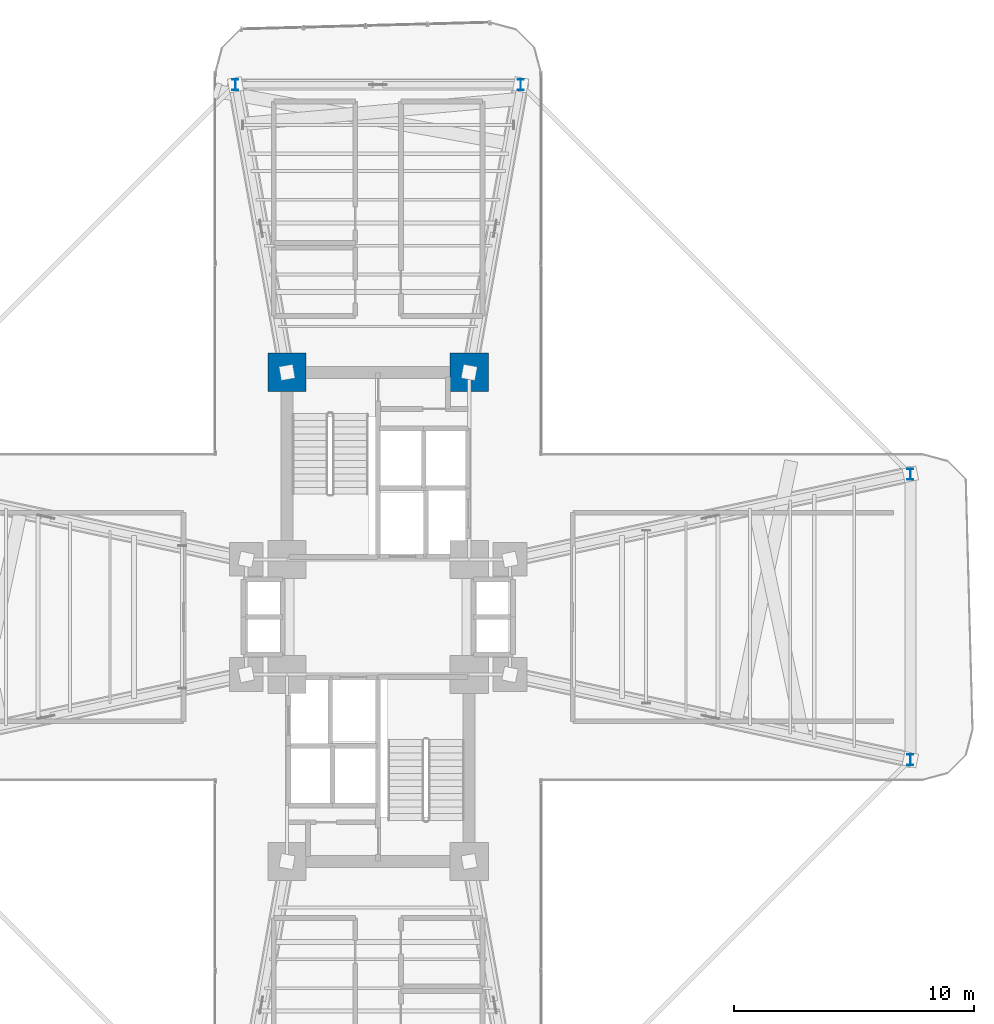
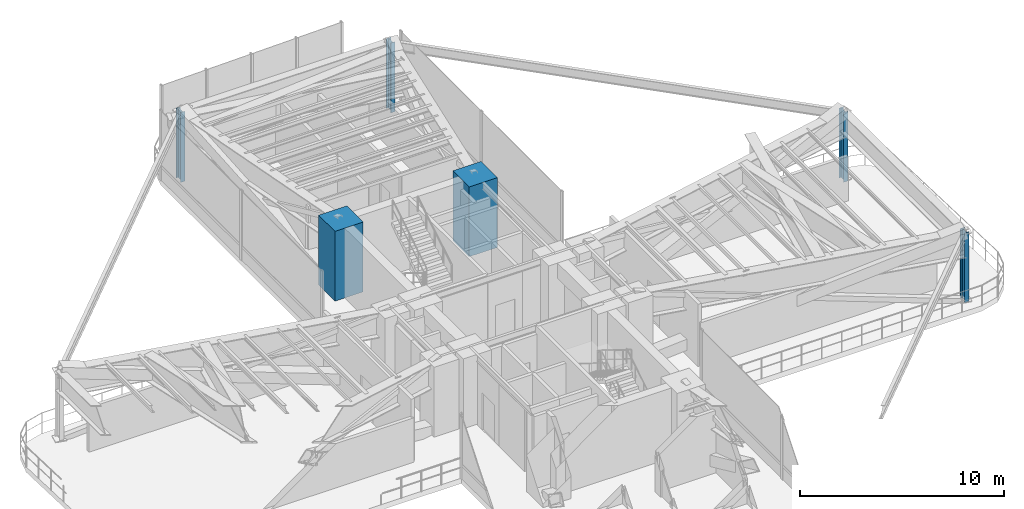
# One storey, part 2 of 18: 6 columns.
"""IFC4 building model written with IfcOpenShell, lengths in metres."""

from ifc_helpers import new_model, si_unit, direction, frame, origin, origin_2d, place, context, subcontext, project, spatial, rectangle, i_section, extrude, source, transform, mapped, material, material_profile, profile_set, type_object, element, save


model = new_model("IFC4")

# Units and contexts
model_context = context("Model", 3, precision=1e-05, world=origin(), true_north=direction((0.0, 1.0)))
body_context = subcontext(model_context, "Body", "Model", "MODEL_VIEW")
ifc_project = project(units=[si_unit("LENGTHUNIT", "METRE"), si_unit("AREAUNIT", "SQUARE_METRE"), si_unit("VOLUMEUNIT", "CUBIC_METRE"), si_unit("PLANEANGLEUNIT", "RADIAN"), si_unit("MASSUNIT", "GRAM", prefix="KILO")], contexts=[model_context])

# Site, building, storey
site_placement = place(None, origin())
site = spatial("IfcSite", under=ifc_project, at=site_placement, CompositionType="ELEMENT")
building_placement = place(site_placement, origin())
building = spatial("IfcBuilding", under=site, at=building_placement, Name="Sahyath Konkavel Grand Hotel", CompositionType="ELEMENT")
storey_placement = place(building_placement, frame((0.0, 0.0, 74.5)))
storey = spatial("IfcBuildingStorey", under=building, at=storey_placement, Name="L20", CompositionType="ELEMENT", Elevation=74.5)

# Columns
ifc_material_1 = material(Name="Concrete C70/85", Category="concrete")
ifc_material_profile_1 = material_profile(ifc_material_1, rectangle(XDim=1.60009765625, YDim=1.60009765625, at=origin_2d()), Name="RC 1600x1600")
ifc_profile_set_1 = profile_set([ifc_material_profile_1], Name="Concrete C70/85")
column_type_1 = type_object("IfcColumnType", Name="COL-RC1600", PredefinedType="COLUMN", material=ifc_profile_set_1)
shared_shape_1 = source(origin(), body_context, "Body", "SweptSolid", [
    extrude(rectangle(XDim=1.60009765625, YDim=1.60009765625, at=origin_2d()), origin(), (0.0, 0.0, 1.0), 4.179931640625),
])
for number, where, z_axis, x_axis, name in (
    (1, (-3.800048828125, 10.199951171875, 0.0), (0.0, 0.0, 1.0), (1.0, 0.0, 0.0), "L20 Core Boundary Column NC-NW"),
    (2, (3.800048828125, 10.199951171875, 0.0), (0.0, 0.0, 1.0), (1.0, 0.0, 0.0), "L20 Core Boundary Column NC-NE"),
):
    element("IfcColumn", number, at=place(storey_placement, frame(where, z_axis=z_axis, x_axis=x_axis)), inside=storey, type_object=column_type_1, Name=name, PredefinedType="COLUMN", context=body_context, shape_type="MappedRepresentation", body=[
        mapped(shared_shape_1, transform((0.0, 0.0, 0.0), scale=1.0)),
    ])
ifc_material_2 = material(Name="Steel E450", Category="steel")
ifc_material_profile_2 = material_profile(ifc_material_2, i_section(OverallWidth=0.25, OverallDepth=0.449951171875, WebThickness=0.013671875, FlangeThickness=0.013671875, FilletRadius=0.014892578125, at=origin_2d()), Name="ISHB 450")
ifc_profile_set_2 = profile_set([ifc_material_profile_2], Name="Steel E450")
column_type_2 = type_object("IfcColumnType", Name="COL-ISHB450", PredefinedType="COLUMN", material=ifc_profile_set_2)
shared_shape_2 = source(origin(), body_context, "Body", "SweptSolid", [
    extrude(i_section(OverallWidth=0.25, OverallDepth=0.449951171875, WebThickness=0.013671875, FlangeThickness=0.013671875, FilletRadius=0.014892578125, at=origin_2d()), origin(), (0.0, 0.0, 1.0), 4.179931640625),
])
for number, where, z_axis, x_axis, name in (
    (3, (22.199951171875, -5.949951171875, 0.0), (0.0, 0.0, 1.0), (1.0, 0.0, 0.0), "L20 Cruciform Wing Column WC-EA"),
    (4, (22.199951171875, 5.949951171875, 0.0), (0.0, 0.0, 1.0), (1.0, 0.0, 0.0), "L20 Cruciform Wing Column WC-EB"),
    (5, (5.949951171875, 22.199951171875, 0.0), (0.0, 0.0, 1.0), (1.0, 0.0, 0.0), "L20 Cruciform Wing Column WC-NA"),
    (6, (-5.949951171875, 22.199951171875, 0.0), (0.0, 0.0, 1.0), (1.0, 0.0, 0.0), "L20 Cruciform Wing Column WC-NB"),
):
    element("IfcColumn", number, at=place(storey_placement, frame(where, z_axis=z_axis, x_axis=x_axis)), inside=storey, type_object=column_type_2, Name=name, PredefinedType="COLUMN", context=body_context, shape_type="MappedRepresentation", body=[
        mapped(shared_shape_2, transform((0.0, 0.0, 0.0), scale=1.0)),
    ])

save(model, "model.ifc")
